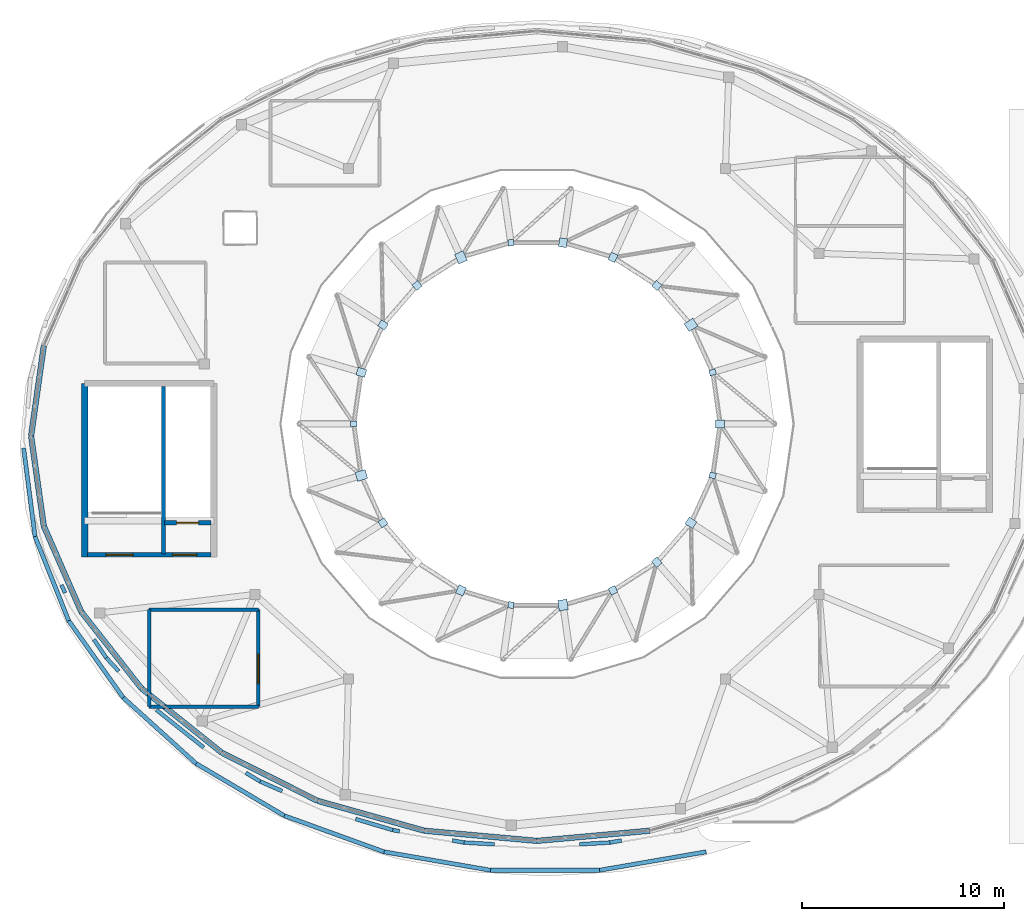
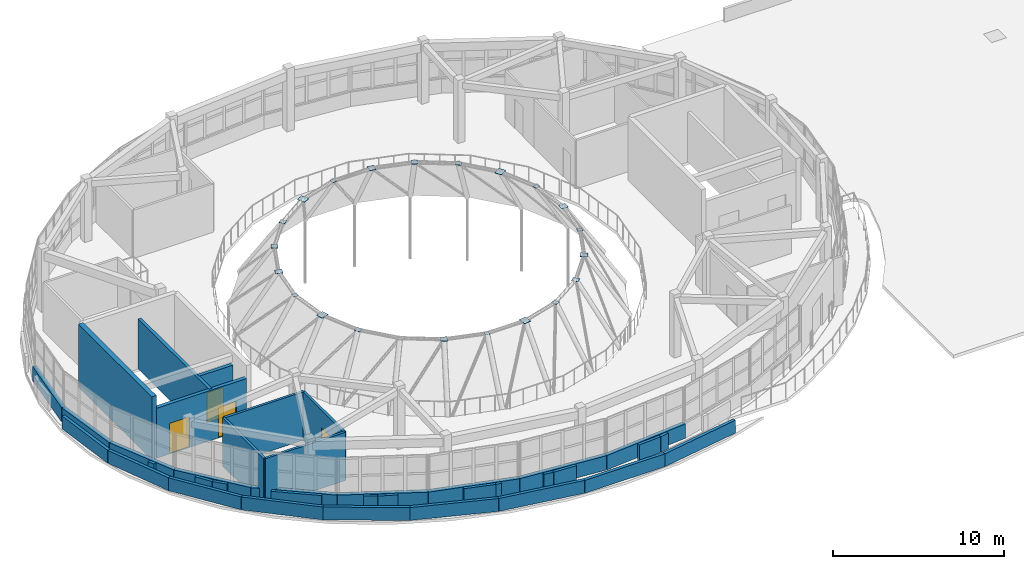
# One storey, part 33 of 38: 38 walls, 21 plates, 4 doors, 4 openings.
"""IFC4 building model written with IfcOpenShell, lengths in metres."""

from ifc_helpers import new_model, si_unit, direction, frame, frame_2d, origin, origin_2d, place, context, subcontext, project, spatial, rectangle, extrude, material, layer, layer_set, type_object, element, fill, save


model = new_model("IFC4")

# Units and contexts
model_context = context("Model", 3, precision=1e-05, world=origin(), true_north=direction((0.0, 1.0)))
body_context = subcontext(model_context, "Body", "Model", "MODEL_VIEW")
ifc_project = project(units=[si_unit("LENGTHUNIT", "METRE"), si_unit("AREAUNIT", "SQUARE_METRE"), si_unit("VOLUMEUNIT", "CUBIC_METRE"), si_unit("PLANEANGLEUNIT", "RADIAN"), si_unit("MASSUNIT", "GRAM", prefix="KILO")], contexts=[model_context])

# Site, building, storey
site_placement = place(None, origin())
site = spatial("IfcSite", under=ifc_project, at=site_placement, CompositionType="ELEMENT")
building_placement = place(site_placement, origin())
building = spatial("IfcBuilding", under=site, at=building_placement, Name="Pelvatis Terrace Science Centre", CompositionType="ELEMENT")
storey_placement = place(building_placement, frame((0.0, 0.0, 24.300048828125)))
storey = spatial("IfcBuildingStorey", under=building, at=storey_placement, Name="L05", CompositionType="ELEMENT", Elevation=24.300048828125)

# Plates
ifc_material_1 = material(Name="Structural steel S355", Category="steel")
ifc_layer_1 = layer(ifc_material_1, 0.01611328125)
ifc_layer_set_1 = layer_set([ifc_layer_1], Name="Structural steel S355")
plate_type_1 = type_object("IfcPlateType", Name="PLT-GUS-320x280x16", PredefinedType="USERDEFINED", material=ifc_layer_set_1)
for number, where, z_axis, x_axis, name in (
    (1, (117.896484375, 88.353515625, 3.044677734375), (0.0, 0.0, 1.0), (0.959510852267, 0.281671660596, 0.0), "Dome node gusset plate 3.02"),
    (2, (107.91015625, 94.771484375, 3.044677734375), (0.0, 0.0, 1.0), (-0.142283427941, 0.989825957496, 0.0), "Dome node gusset plate 3.07"),
    (3, (100.13623046875, 85.800048828125, 3.044677734375), (0.0, 0.0, 1.0), (-1.0, 0.0, 0.0), "Dome node gusset plate 3.12"),
    (4, (107.91015625, 76.82861328125, 3.044677734375), (0.0, 0.0, 1.0), (-0.142283427941, -0.989825957496, 0.0), "Dome node gusset plate 3.17"),
    (5, (117.896484375, 83.24658203125, 3.044677734375), (0.0, 0.0, 1.0), (0.959510852267, -0.281671660596, 0.0), "Dome node gusset plate 3.22"),
):
    element("IfcPlate", number, at=place(storey_placement, frame(where, z_axis=z_axis, x_axis=x_axis)), inside=storey, type_object=plate_type_1, Name=name, ObjectType="GUSSET", PredefinedType="USERDEFINED", context=body_context, shape_type="SweptSolid", body=[
        extrude(rectangle(XDim=0.320068359375, YDim=0.280029296875, at=origin_2d()), origin(), (0.0, 0.0, 1.0), 0.01611328125),
    ])
ifc_material_2 = material(Name="Structural steel S355", Category="steel")
ifc_layer_2 = layer(ifc_material_2, 0.02001953125)
ifc_layer_set_2 = layer_set([ifc_layer_2], Name="Structural steel S355")
plate_type_2 = type_object("IfcPlateType", Name="PLT-GUS-360x360x20", PredefinedType="USERDEFINED", material=ifc_layer_set_2)
for number, where, z_axis, x_axis, name in (
    (6, (115.135498046875, 92.64990234375, 3.042724609375), (0.0, 0.0, 1.0), (0.654872725061, 0.755739183826, 0.0), "Dome node gusset plate 3.04"),
    (7, (103.2646484375, 92.64990234375, 3.042724609375), (0.0, 0.0, 1.0), (-0.654872725061, 0.755739183826, 0.0), "Dome node gusset plate 3.09"),
    (8, (101.5751953125, 80.89990234375, 3.042724609375), (0.0, 0.0, 1.0), (-0.841227797435, -0.540680860418, 0.0), "Dome node gusset plate 3.14"),
    (9, (112.965087890625, 77.555419921875, 3.042724609375), (0.0, 0.0, 1.0), (0.415487175664, -0.909599036311, 0.0), "Dome node gusset plate 3.19"),
):
    element("IfcPlate", number, at=place(storey_placement, frame(where, z_axis=z_axis, x_axis=x_axis)), inside=storey, type_object=plate_type_2, Name=name, ObjectType="GUSSET", PredefinedType="USERDEFINED", context=body_context, shape_type="SweptSolid", body=[
        extrude(rectangle(XDim=0.360107421875, YDim=0.360107421875, at=origin_2d()), origin(), (0.0, 0.0, 1.0), 0.02001953125),
    ])
ifc_material_3 = material(Name="Structural steel S355", Category="steel")
ifc_layer_3 = layer(ifc_material_3, 0.02197265625)
ifc_layer_set_3 = layer_set([ifc_layer_3], Name="Structural steel S355")
plate_type_3 = type_object("IfcPlateType", Name="PLT-GUS-400x360x22", PredefinedType="USERDEFINED", material=ifc_layer_set_3)
for number, where, z_axis, x_axis, name in (
    (10, (112.965087890625, 94.044677734375, 3.041748046875), (0.0, 0.0, 1.0), (0.415487175664, 0.909599036311, 0.0), "Dome node gusset plate 3.05"),
    (11, (101.5751953125, 90.7001953125, 3.041748046875), (0.0, 0.0, 1.0), (-0.841227797435, 0.540680860418, 0.0), "Dome node gusset plate 3.10"),
    (12, (115.135498046875, 78.9501953125, 3.041748046875), (0.0, 0.0, 1.0), (0.654872725061, -0.755739183826, 0.0), "Dome node gusset plate 3.20"),
):
    element("IfcPlate", number, at=place(storey_placement, frame(where, z_axis=z_axis, x_axis=x_axis)), inside=storey, type_object=plate_type_3, Name=name, ObjectType="GUSSET", PredefinedType="USERDEFINED", context=body_context, shape_type="SweptSolid", body=[
        extrude(rectangle(XDim=0.39990234375, YDim=0.360107421875, at=origin_2d()), origin(), (0.0, 0.0, 1.0), 0.02197265625),
    ])
ifc_material_4 = material(Name="Structural steel S355", Category="steel")
ifc_layer_4 = layer(ifc_material_4, 0.02392578125)
ifc_layer_set_4 = layer_set([ifc_layer_4], Name="Structural steel S355")
plate_type_4 = type_object("IfcPlateType", Name="PLT-GUS-440x400x24", PredefinedType="USERDEFINED", material=ifc_layer_set_4)
for number, where, z_axis, x_axis, name in (
    (13, (118.263671875, 85.800048828125, 3.040771484375), (0.0, 0.0, 1.0), (1.0, 0.0, 0.0), "Dome node gusset plate 3.01"),
    (14, (110.489990234375, 94.771484375, 3.040771484375), (0.0, 0.0, 1.0), (0.142283427941, 0.989825957496, 0.0), "Dome node gusset plate 3.06"),
    (15, (100.50341796875, 88.353515625, 3.040771484375), (0.0, 0.0, 1.0), (-0.959510852267, 0.281671660596, 0.0), "Dome node gusset plate 3.11"),
    (16, (105.434814453125, 77.555419921875, 3.040771484375), (0.0, 0.0, 1.0), (-0.415487175664, -0.909599036311, 0.0), "Dome node gusset plate 3.16"),
    (17, (116.824951171875, 80.89990234375, 3.040771484375), (0.0, 0.0, 1.0), (0.841227797435, -0.540680860418, 0.0), "Dome node gusset plate 3.21"),
):
    element("IfcPlate", number, at=place(storey_placement, frame(where, z_axis=z_axis, x_axis=x_axis)), inside=storey, type_object=plate_type_4, Name=name, ObjectType="GUSSET", PredefinedType="USERDEFINED", context=body_context, shape_type="SweptSolid", body=[
        extrude(rectangle(XDim=0.43994140625, YDim=0.39990234375, at=origin_2d()), origin(), (0.0, 0.0, 1.0), 0.02392578125),
    ])
ifc_material_5 = material(Name="Structural steel S355", Category="steel")
ifc_layer_5 = layer(ifc_material_5, 0.028076171875)
ifc_layer_set_5 = layer_set([ifc_layer_5], Name="Structural steel S355")
plate_type_5 = type_object("IfcPlateType", Name="PLT-GUS-520x460x28", PredefinedType="USERDEFINED", material=ifc_layer_set_5)
for number, where, z_axis, x_axis, name in (
    (18, (116.824951171875, 90.7001953125, 3.03857421875), (0.0, 0.0, 1.0), (0.841227797435, 0.540680860418, 0.0), "Dome node gusset plate 3.03"),
    (19, (105.434814453125, 94.044677734375, 3.03857421875), (0.0, 0.0, 1.0), (-0.415487175664, 0.909599036311, 0.0), "Dome node gusset plate 3.08"),
    (20, (100.50341796875, 83.24658203125, 3.03857421875), (0.0, 0.0, 1.0), (-0.959510852267, -0.281671660596, 0.0), "Dome node gusset plate 3.13"),
    (21, (110.489990234375, 76.82861328125, 3.03857421875), (0.0, 0.0, 1.0), (0.142283427941, -0.989825957496, 0.0), "Dome node gusset plate 3.18"),
):
    element("IfcPlate", number, at=place(storey_placement, frame(where, z_axis=z_axis, x_axis=x_axis)), inside=storey, type_object=plate_type_5, Name=name, ObjectType="GUSSET", PredefinedType="USERDEFINED", context=body_context, shape_type="SweptSolid", body=[
        extrude(rectangle(XDim=0.52001953125, YDim=0.4599609375, at=origin_2d()), origin(), (0.0, 0.0, 1.0), 0.028076171875),
    ])

# Walls
ifc_material_6 = material(Name="White architectural precast concrete C40/50 spandrel", Category="concrete")
ifc_layer_6 = layer(ifc_material_6, 0.27490234375)
ifc_layer_set_6 = layer_set([ifc_layer_6], Name="White architectural precast concrete C40/50 spandrel")
wall_type_1 = type_object("IfcWallType", Name="WL-EXT-SPND-275", PredefinedType="SOLIDWALL", material=ifc_layer_set_6)
wall_1_placement = place(storey_placement, frame((84.778076171875, 89.66162109375, 0.0), z_axis=(0.0, 0.0, 1.0), x_axis=(-0.139418383806, -0.990233565507, 0.0)))
element("IfcWall", 22, at=wall_1_placement, inside=storey, type_object=wall_type_1, Name="V1 white spiral spandrel band 14 (L05)", PredefinedType="SOLIDWALL", context=body_context, shape_type="SweptSolid", body=[
    extrude(rectangle(XDim=4.505615234375, YDim=0.27490234375, at=frame_2d((2.2529296875, 0.0))), origin(), (0.0, 0.0, 1.0), 1.02001953125),
])
wall_2_placement = place(storey_placement, frame((84.14990234375, 85.199951171875, 0.0), z_axis=(0.0, 0.0, 1.0), x_axis=(0.139425864829, -0.990232512199, 0.0)))
element("IfcWall", 23, at=wall_2_placement, inside=storey, type_object=wall_type_1, Name="V1 white spiral spandrel band 15 (L05)", PredefinedType="SOLIDWALL", context=body_context, shape_type="SweptSolid", body=[
    extrude(rectangle(XDim=4.50537109375, YDim=0.27490234375, at=frame_2d((2.252685546875, 0.0))), origin(), (0.0, 0.0, 1.0), 1.02001953125),
])
wall_3_placement = place(storey_placement, frame((84.778076171875, 80.738525390625, 0.0), z_axis=(0.0, 0.0, 1.0), x_axis=(0.400528066948, -0.916284490531, 0.0)))
element("IfcWall", 24, at=wall_3_placement, inside=storey, type_object=wall_type_1, Name="V1 white spiral spandrel band 16 (L05)", PredefinedType="SOLIDWALL", context=body_context, shape_type="SweptSolid", body=[
    extrude(rectangle(XDim=4.625244140625, YDim=0.27490234375, at=frame_2d((2.3125, 0.0))), origin(), (0.0, 0.0, 1.0), 1.02001953125),
])
wall_4_placement = place(storey_placement, frame((86.630615234375, 76.50048828125, 0.0), z_axis=(0.0, 0.0, 1.0), x_axis=(0.617498011037, -0.786572441906, 0.0)))
element("IfcWall", 25, at=wall_4_placement, inside=storey, type_object=wall_type_1, Name="V1 white spiral spandrel band 17 (L05)", PredefinedType="SOLIDWALL", context=body_context, shape_type="SweptSolid", body=[
    extrude(rectangle(XDim=4.8330078125, YDim=0.27490234375, at=frame_2d((2.41650390625, 0.0))), origin(), (0.0, 0.0, 1.0), 1.02001953125),
])
wall_5_placement = place(storey_placement, frame((89.614990234375, 72.698974609375, 0.0), z_axis=(0.0, 0.0, 1.0), x_axis=(0.780742210705, -0.624853263113, 0.0)))
element("IfcWall", 26, at=wall_5_placement, inside=storey, type_object=wall_type_1, Name="V1 white spiral spandrel band 18 (L05)", PredefinedType="SOLIDWALL", context=body_context, shape_type="SweptSolid", body=[
    extrude(rectangle(XDim=5.08056640625, YDim=0.27490234375, at=frame_2d((2.540283203125, 0.0))), origin(), (0.0, 0.0, 1.0), 1.02001953125),
])
wall_6_placement = place(storey_placement, frame((93.58154296875, 69.5244140625, 0.0), z_axis=(0.0, 0.0, 1.0), x_axis=(0.893368542728, -0.449324656417, 0.0)))
element("IfcWall", 27, at=wall_6_placement, inside=storey, type_object=wall_type_1, Name="V1 white spiral spandrel band 19 (L05)", PredefinedType="SOLIDWALL", context=body_context, shape_type="SweptSolid", body=[
    extrude(rectangle(XDim=5.316650390625, YDim=0.27490234375, at=frame_2d((2.658203125, 0.0))), origin(), (0.0, 0.0, 1.0), 1.02001953125),
])
wall_7_placement = place(storey_placement, frame((98.331298828125, 67.135498046875, 0.0), z_axis=(0.0, 0.0, 1.0), x_axis=(0.962945110284, -0.269697450079, 0.0)))
element("IfcWall", 28, at=wall_7_placement, inside=storey, type_object=wall_type_1, Name="V1 white spiral spandrel band 20 (L05)", PredefinedType="SOLIDWALL", context=body_context, shape_type="SweptSolid", body=[
    extrude(rectangle(XDim=5.49853515625, YDim=0.27490234375, at=frame_2d((2.749267578125, 0.0))), origin(), (0.0, 0.0, 1.0), 1.02001953125),
])
wall_8_placement = place(storey_placement, frame((103.6259765625, 65.652587890625, 0.0), z_axis=(0.0, 0.0, 1.0), x_axis=(0.995958026213, -0.089819875431, 0.0)))
element("IfcWall", 29, at=wall_8_placement, inside=storey, type_object=wall_type_1, Name="V1 white spiral spandrel band 21 (L05)", PredefinedType="SOLIDWALL", context=body_context, shape_type="SweptSolid", body=[
    extrude(rectangle(XDim=5.5966796875, YDim=0.27490234375, at=frame_2d((2.79833984375, 0.0))), origin(), (0.0, 0.0, 1.0), 1.02001953125),
])
wall_9_placement = place(storey_placement, frame((109.199951171875, 65.14990234375, 0.0), z_axis=(0.0, 0.0, 1.0), x_axis=(0.995958378124, 0.08981597322, 0.0)))
element("IfcWall", 30, at=wall_9_placement, inside=storey, type_object=wall_type_1, Name="V1 white spiral spandrel band 22 (L05)", PredefinedType="SOLIDWALL", context=body_context, shape_type="SweptSolid", body=[
    extrude(rectangle(XDim=5.596923828125, YDim=0.27490234375, at=frame_2d((2.79833984375, 0.0))), origin(), (0.0, 0.0, 1.0), 1.02001953125),
])
ifc_material_7 = material(Name="Concrete C35/45 shaft dividing wall", Category="concrete")
ifc_layer_7 = layer(ifc_material_7, 0.2099609375)
ifc_layer_set_7 = layer_set([ifc_layer_7], Name="Concrete C35/45 shaft dividing wall")
wall_type_2 = type_object("IfcWallType", Name="WL-INT-CORE-210", PredefinedType="PARTITIONING", material=ifc_layer_set_7)
wall_10_placement = place(storey_placement, frame((90.699951171875, 79.35009765625, 0.0), z_axis=(0.0, 0.0, 1.0), x_axis=(0.0, 1.0, 0.0)))
element("IfcWall", 31, at=wall_10_placement, inside=storey, type_object=wall_type_2, Name="Core C1 stair-lift shaft fire wall (L05)", PredefinedType="PARTITIONING", context=body_context, shape_type="SweptSolid", body=[
    extrude(rectangle(XDim=8.2998046875, YDim=0.2099609375, at=frame_2d((4.14990234375, 0.0))), origin(), (0.0, 0.0, 1.0), 3.579833984375),
])

# Wall, opening, door
ifc_material_8 = material(Name="Concrete C35/45 stair enclosure wall", Category="concrete")
ifc_layer_8 = layer(ifc_material_8, 0.22509765625)
ifc_layer_set_8 = layer_set([ifc_layer_8], Name="Concrete C35/45 stair enclosure wall")
wall_type_3 = type_object("IfcWallType", Name="WL-INT-CORE-225", PredefinedType="PARTITIONING", material=ifc_layer_set_8)
wall_11_placement = place(storey_placement, frame((90.75, 80.89990234375, 0.0), z_axis=(0.0, 0.0, 1.0), x_axis=(1.0, 0.0, 0.0)))
wall_11 = element("IfcWall", 32, at=wall_11_placement, inside=storey, type_object=wall_type_3, Name="Core C1 lift shaft landing wall (L05)", PredefinedType="PARTITIONING", context=body_context, shape_type="SweptSolid", body=[
    extrude(rectangle(XDim=2.300048828125, YDim=0.22509765625, at=frame_2d((1.14990234375, 0.0))), origin(), (0.0, 0.0, 1.0), 3.579833984375),
])
opening_1_placement = place(wall_11_placement, frame((0.60009765625, 0.0, 0.0)))
opening_1 = element("IfcOpeningElement", 33, at=opening_1_placement, cuts=wall_11, Name="Opening LD-C1-7", PredefinedType="OPENING", context=body_context, shape_type="SweptSolid", body=[
    extrude(rectangle(XDim=1.10009765625, YDim=2.14990234375, at=frame_2d((0.550048828125, 1.074951171875))), frame((0.0, 0.12255859375, 0.0), z_axis=(0.0, -1.0, 0.0), x_axis=(1.0, 0.0, 0.0)), (0.0, 0.0, 1.0), 0.2451171875),
])
ifc_material_9 = material(Name="Stainless steel sliding fire-fighting lift landing door", Category="steel")
door_type_1 = type_object("IfcDoorType", Name="DR-LIFT-1100x2150", OperationType="NOTDEFINED", PredefinedType="DOOR", material=ifc_material_9)
door_1_placement = place(opening_1_placement, origin())
door_1 = element("IfcDoor", 34, at=door_1_placement, inside=storey, type_object=door_type_1, Name="Lift LF-01 sliding landing door (L05)", OperationType="SLIDING_TO_LEFT", OverallHeight=2.14990234375, OverallWidth=1.10009765625, PredefinedType="DOOR", context=body_context, shape_type="SweptSolid", body=[
    extrude(rectangle(XDim=1.10009765625, YDim=2.14990234375, at=frame_2d((0.550048828125, 1.074951171875))), frame((0.0, 0.02490234375, 0.0), z_axis=(0.0, -1.0, 0.0), x_axis=(1.0, 0.0, 0.0)), (0.0, 0.0, 1.0), 0.050048828125),
])
fill(opening_1, door_1)

# Wall, openings, doors
ifc_material_10 = material(Name="Concrete C35/45 shaft enclosure wall", Category="concrete")
ifc_layer_9 = layer(ifc_material_10, 0.239990234375)
ifc_layer_set_9 = layer_set([ifc_layer_9], Name="Concrete C35/45 shaft enclosure wall")
wall_type_4 = type_object("IfcWallType", Name="WL-INT-CORE-240", PredefinedType="PARTITIONING", material=ifc_layer_set_9)
wall_12_placement = place(storey_placement, frame((86.949951171875, 79.320068359375, 0.0), z_axis=(0.0, 0.0, 1.0), x_axis=(1.0, 0.0, 0.0)))
wall_12 = element("IfcWall", 35, at=wall_12_placement, inside=storey, type_object=wall_type_4, Name="Core C1 fire-rated lobby wall (L05)", PredefinedType="PARTITIONING", context=body_context, shape_type="SweptSolid", body=[
    extrude(rectangle(XDim=6.10009765625, YDim=0.239990234375, at=frame_2d((3.050048828125, 0.0))), origin(), (0.0, 0.0, 1.0), 3.579833984375),
])
opening_2_placement = place(wall_12_placement, frame((0.89990234375, 0.0, 0.0)))
opening_2 = element("IfcOpeningElement", 36, at=opening_2_placement, cuts=wall_12, Name="Opening D-113", PredefinedType="OPENING", context=body_context, shape_type="SweptSolid", body=[
    extrude(rectangle(XDim=1.35009765625, YDim=2.199951171875, at=frame_2d((0.675048828125, 1.10009765625))), frame((0.0, 0.1298828125, 0.0), z_axis=(0.0, -1.0, 0.0), x_axis=(1.0, 0.0, 0.0)), (0.0, 0.0, 1.0), 0.260009765625),
])
opening_3_placement = place(wall_12_placement, frame((4.199951171875, 0.0, 0.0)))
opening_3 = element("IfcOpeningElement", 37, at=opening_3_placement, cuts=wall_12, Name="Opening D-114", PredefinedType="OPENING", context=body_context, shape_type="SweptSolid", body=[
    extrude(rectangle(XDim=1.199951171875, YDim=2.199951171875, at=frame_2d((0.60009765625, 1.10009765625))), frame((0.0, 0.1298828125, 0.0), z_axis=(0.0, -1.0, 0.0), x_axis=(1.0, 0.0, 0.0)), (0.0, 0.0, 1.0), 0.260009765625),
])
ifc_material_11 = material(Name="Steel fire-rated exit stair door", Category="steel")
door_type_2 = type_object("IfcDoorType", Name="DR-STAIR-1200x2200", OperationType="NOTDEFINED", PredefinedType="DOOR", material=ifc_material_11)
door_2_placement = place(opening_3_placement, origin())
door_2 = element("IfcDoor", 38, at=door_2_placement, inside=storey, type_object=door_type_2, Name="Core C1 lift lobby fire door (L05)", OperationType="SINGLE_SWING_RIGHT", OverallHeight=2.199951171875, OverallWidth=1.199951171875, PredefinedType="DOOR", context=body_context, shape_type="SweptSolid", body=[
    extrude(rectangle(XDim=1.199951171875, YDim=2.199951171875, at=frame_2d((0.60009765625, 1.10009765625))), frame((0.0, 0.02490234375, 0.0), z_axis=(0.0, -1.0, 0.0), x_axis=(1.0, 0.0, 0.0)), (0.0, 0.0, 1.0), 0.050048828125),
])
fill(opening_3, door_2)
ifc_material_12 = material(Name="Steel fire-rated protected stair door", Category="steel")
door_type_3 = type_object("IfcDoorType", Name="DR-STAIR-1350x2200", OperationType="NOTDEFINED", PredefinedType="DOOR", material=ifc_material_12)
door_3_placement = place(opening_2_placement, origin())
door_3 = element("IfcDoor", 39, at=door_3_placement, inside=storey, type_object=door_type_3, Name="Core C1 protected stair fire door (L05)", OperationType="SINGLE_SWING_LEFT", OverallHeight=2.199951171875, OverallWidth=1.35009765625, PredefinedType="DOOR", context=body_context, shape_type="SweptSolid", body=[
    extrude(rectangle(XDim=1.35009765625, YDim=2.199951171875, at=frame_2d((0.675048828125, 1.10009765625))), frame((0.0, 0.02490234375, 0.0), z_axis=(0.0, -1.0, 0.0), x_axis=(1.0, 0.0, 0.0)), (0.0, 0.0, 1.0), 0.050048828125),
])
fill(opening_2, door_3)

# Wall
ifc_material_13 = material(Name="Dry studio acoustic partition", Category="masonry")
ifc_layer_10 = layer(ifc_material_13, 0.1650390625)
ifc_layer_set_10 = layer_set([ifc_layer_10], Name="Dry studio acoustic partition")
wall_type_5 = type_object("IfcWallType", Name="WL-INT-LAB-165", PredefinedType="PARTITIONING", material=ifc_layer_set_10)
wall_13_placement = place(storey_placement, frame((90.0, 71.800048828125, 0.0), z_axis=(0.0, 0.0, 1.0), x_axis=(1.0, 0.0, 0.0)))
element("IfcWall", 40, at=wall_13_placement, inside=storey, type_object=wall_type_5, Name="Heliostat and Solar Spectroscopy Instrument Studio partition wall S", PredefinedType="PARTITIONING", context=body_context, shape_type="SweptSolid", body=[
    extrude(rectangle(XDim=5.39990234375, YDim=0.1650390625, at=frame_2d((2.699951171875, 0.0))), origin(), (0.0, 0.0, 1.0), 3.449951171875),
])

# Wall, opening, door
wall_14_placement = place(storey_placement, frame((95.39990234375, 71.800048828125, 0.0), z_axis=(0.0, 0.0, 1.0), x_axis=(0.0, 1.0, 0.0)))
wall_14 = element("IfcWall", 41, at=wall_14_placement, inside=storey, type_object=wall_type_5, Name="Heliostat and Solar Spectroscopy Instrument Studio partition wall E", PredefinedType="PARTITIONING", context=body_context, shape_type="SweptSolid", body=[
    extrude(rectangle(XDim=4.800048828125, YDim=0.1650390625, at=frame_2d((2.39990234375, 0.0))), origin(), (0.0, 0.0, 1.0), 3.449951171875),
])
opening_4_placement = place(wall_14_placement, frame((1.14111328125, 0.0, 0.0)))
opening_4 = element("IfcOpeningElement", 42, at=opening_4_placement, cuts=wall_14, Name="Opening D-225", PredefinedType="OPENING", context=body_context, shape_type="SweptSolid", body=[
    extrude(rectangle(XDim=1.449951171875, YDim=2.199951171875, at=frame_2d((0.72509765625, 1.10009765625))), frame((0.0, 0.092529296875, 0.0), z_axis=(0.0, -1.0, 0.0), x_axis=(1.0, 0.0, 0.0)), (0.0, 0.0, 1.0), 0.18505859375),
])
ifc_material_14 = material(Name="Leaf-and-a-half dry studio door", Category="wood")
door_type_4 = type_object("IfcDoorType", Name="DR-LAB-1450x2200", OperationType="NOTDEFINED", PredefinedType="DOOR", material=ifc_material_14)
door_4_placement = place(opening_4_placement, origin())
door_4 = element("IfcDoor", 43, at=door_4_placement, inside=storey, type_object=door_type_4, Name="Heliostat and Solar Spectroscopy Instrument Studio entrance door", OperationType="SINGLE_SWING_RIGHT", OverallHeight=2.199951171875, OverallWidth=1.449951171875, PredefinedType="DOOR", context=body_context, shape_type="SweptSolid", body=[
    extrude(rectangle(XDim=1.449951171875, YDim=2.199951171875, at=frame_2d((0.72509765625, 1.10009765625))), frame((0.0, 0.02490234375, 0.0), z_axis=(0.0, -1.0, 0.0), x_axis=(1.0, 0.0, 0.0)), (0.0, 0.0, 1.0), 0.050048828125),
])
fill(opening_4, door_4)

# Walls
wall_15_placement = place(storey_placement, frame((95.39990234375, 76.60009765625, 0.0), z_axis=(0.0, 0.0, 1.0), x_axis=(-1.0, 0.0, 0.0)))
element("IfcWall", 44, at=wall_15_placement, inside=storey, type_object=wall_type_5, Name="Heliostat and Solar Spectroscopy Instrument Studio partition wall N", PredefinedType="PARTITIONING", context=body_context, shape_type="SweptSolid", body=[
    extrude(rectangle(XDim=5.39990234375, YDim=0.1650390625, at=frame_2d((2.699951171875, 0.0))), origin(), (0.0, 0.0, 1.0), 3.449951171875),
])
wall_16_placement = place(storey_placement, frame((90.0, 76.60009765625, 0.0), z_axis=(0.0, 0.0, 1.0), x_axis=(0.0, -1.0, 0.0)))
element("IfcWall", 45, at=wall_16_placement, inside=storey, type_object=wall_type_5, Name="Heliostat and Solar Spectroscopy Instrument Studio partition wall W", PredefinedType="PARTITIONING", context=body_context, shape_type="SweptSolid", body=[
    extrude(rectangle(XDim=4.800048828125, YDim=0.1650390625, at=frame_2d((2.39990234375, 0.0))), origin(), (0.0, 0.0, 1.0), 3.449951171875),
])
ifc_material_15 = material(Name="White architectural precast concrete C40/50 spandrel parapet", Category="concrete")
ifc_layer_11 = layer(ifc_material_15, 0.18994140625)
ifc_layer_set_11 = layer_set([ifc_layer_11], Name="White architectural precast concrete C40/50 spandrel parapet")
wall_type_6 = type_object("IfcWallType", Name="WL-PAR-190", PredefinedType="PARAPET", material=ifc_layer_set_11)
wall_17_placement = place(storey_placement, frame((113.388916015625, 65.168701171875, 0.0), z_axis=(0.0, 0.0, 1.0), x_axis=(-0.985135708937, -0.171777865214, 0.0)))
element("IfcWall", 46, at=wall_17_placement, inside=storey, type_object=wall_type_6, Name="Perimeter edge closure parapet PW-EDG-L05-462", PredefinedType="PARAPET", context=body_context, shape_type="SweptSolid", body=[
    extrude(rectangle(XDim=0.58984375, YDim=0.18994140625, at=frame_2d((0.294921875, 0.0))), origin(), (0.0, 0.0, 1.0), 1.119873046875),
])
for number, where, z_axis, x_axis, name in (
    (47, (112.807861328125, 65.0673828125, 0.0), (0.0, 0.0, 1.0), (-0.998353034694, -0.05736913906, 0.0), "Perimeter edge closure parapet PW-EDG-L05-463"),
    (48, (107.091796875, 64.981201171875, 0.0), (0.0, 0.0, 1.0), (-0.998353034694, 0.05736913906, 0.0), "Perimeter edge closure parapet PW-EDG-L05-464"),
):
    element("IfcWall", number, at=place(storey_placement, frame(where, z_axis=z_axis, x_axis=x_axis)), inside=storey, type_object=wall_type_6, Name=name, PredefinedType="PARAPET", context=body_context, shape_type="SweptSolid", body=[
        extrude(rectangle(XDim=1.502197265625, YDim=0.18994140625, at=frame_2d((0.7509765625, 0.0))), origin(), (0.0, 0.0, 1.0), 1.119873046875),
    ])
wall_18_placement = place(storey_placement, frame((105.592041015625, 65.0673828125, 0.0), z_axis=(0.0, 0.0, 1.0), x_axis=(-0.985135708937, 0.171777865214, 0.0)))
element("IfcWall", 49, at=wall_18_placement, inside=storey, type_object=wall_type_6, Name="Perimeter edge closure parapet PW-EDG-L05-465", PredefinedType="PARAPET", context=body_context, shape_type="SweptSolid", body=[
    extrude(rectangle(XDim=0.58984375, YDim=0.18994140625, at=frame_2d((0.294921875, 0.0))), origin(), (0.0, 0.0, 1.0), 1.119873046875),
])
wall_19_placement = place(storey_placement, frame((102.39794921875, 65.62548828125, 0.0), z_axis=(0.0, 0.0, 1.0), x_axis=(-0.985123386937, 0.171848516171, 0.0)))
element("IfcWall", 50, at=wall_19_placement, inside=storey, type_object=wall_type_6, Name="Perimeter edge closure parapet PW-EDG-L05-466", PredefinedType="PARAPET", context=body_context, shape_type="SweptSolid", body=[
    extrude(rectangle(XDim=0.34521484375, YDim=0.18994140625, at=frame_2d((0.172607421875, 0.0))), origin(), (0.0, 0.0, 1.0), 1.119873046875),
])
wall_20_placement = place(storey_placement, frame((102.057861328125, 65.684814453125, 0.0), z_axis=(0.0, 0.0, 1.0), x_axis=(-0.957948828527, 0.286939090964, 0.0)))
element("IfcWall", 51, at=wall_20_placement, inside=storey, type_object=wall_type_6, Name="Perimeter edge closure parapet PW-EDG-L05-467", PredefinedType="PARAPET", context=body_context, shape_type="SweptSolid", body=[
    extrude(rectangle(XDim=1.917724609375, YDim=0.18994140625, at=frame_2d((0.958984375, 0.0))), origin(), (0.0, 0.0, 1.0), 1.119873046875),
])
wall_21_placement = place(storey_placement, frame((96.580322265625, 67.615966796875, 0.0), z_axis=(0.0, 0.0, 1.0), x_axis=(-0.915797517565, 0.401640270417, 0.0)))
element("IfcWall", 52, at=wall_21_placement, inside=storey, type_object=wall_type_6, Name="Perimeter edge closure parapet PW-EDG-L05-468", PredefinedType="PARAPET", context=body_context, shape_type="SweptSolid", body=[
    extrude(rectangle(XDim=1.184814453125, YDim=0.18994140625, at=frame_2d((0.59228515625, 0.0))), origin(), (0.0, 0.0, 1.0), 1.119873046875),
])
wall_22_placement = place(storey_placement, frame((95.495361328125, 68.091796875, 0.0), z_axis=(0.0, 0.0, 1.0), x_axis=(-0.857050982718, 0.515231611047, 0.0)))
element("IfcWall", 53, at=wall_22_placement, inside=storey, type_object=wall_type_6, Name="Perimeter edge closure parapet PW-EDG-L05-469", PredefinedType="PARAPET", context=body_context, shape_type="SweptSolid", body=[
    extrude(rectangle(XDim=0.829345703125, YDim=0.18994140625, at=frame_2d((0.41455078125, 0.0))), origin(), (0.0, 0.0, 1.0), 1.119873046875),
])
wall_23_placement = place(storey_placement, frame((92.69775390625, 69.773681640625, 0.0), z_axis=(0.0, 0.0, 1.0), x_axis=(-0.782852775526, 0.622206984734, 0.0)))
element("IfcWall", 54, at=wall_23_placement, inside=storey, type_object=wall_type_6, Name="Perimeter edge closure parapet PW-EDG-L05-470", PredefinedType="PARAPET", context=body_context, shape_type="SweptSolid", body=[
    extrude(rectangle(XDim=2.995361328125, YDim=0.18994140625, at=frame_2d((1.49755859375, 0.0))), origin(), (0.0, 0.0, 1.0), 1.119873046875),
])
wall_24_placement = place(storey_placement, frame((88.490478515625, 73.552734375, 0.0), z_axis=(0.0, 0.0, 1.0), x_axis=(-0.681891217839, 0.731453598688, 0.0)))
element("IfcWall", 55, at=wall_24_placement, inside=storey, type_object=wall_type_6, Name="Perimeter edge closure parapet PW-EDG-L05-471", PredefinedType="PARAPET", context=body_context, shape_type="SweptSolid", body=[
    extrude(rectangle(XDim=0.896484375, YDim=0.18994140625, at=frame_2d((0.4482421875, 0.0))), origin(), (0.0, 0.0, 1.0), 1.119873046875),
])
wall_25_placement = place(storey_placement, frame((87.879150390625, 74.20849609375, 0.0), z_axis=(0.0, 0.0, 1.0), x_axis=(-0.562147396897, 0.827037063355, 0.0)))
element("IfcWall", 56, at=wall_25_placement, inside=storey, type_object=wall_type_6, Name="Perimeter edge closure parapet PW-EDG-L05-472", PredefinedType="PARAPET", context=body_context, shape_type="SweptSolid", body=[
    extrude(rectangle(XDim=1.10888671875, YDim=0.18994140625, at=frame_2d((0.554443359375, 0.0))), origin(), (0.0, 0.0, 1.0), 1.119873046875),
])
wall_26_placement = place(storey_placement, frame((85.833251953125, 77.4326171875, 0.0), z_axis=(0.0, 0.0, 1.0), x_axis=(-0.421632303537, 0.906766894309, 0.0)))
element("IfcWall", 57, at=wall_26_placement, inside=storey, type_object=wall_type_6, Name="Perimeter edge closure parapet PW-EDG-L05-473", PredefinedType="PARAPET", context=body_context, shape_type="SweptSolid", body=[
    extrude(rectangle(XDim=0.4267578125, YDim=0.18994140625, at=frame_2d((0.21337890625, 0.0))), origin(), (0.0, 0.0, 1.0), 1.119873046875),
])
ifc_material_16 = material(Name="White architectural precast concrete C40/50 spandrel parapet", Category="concrete")
ifc_layer_12 = layer(ifc_material_16, 0.205078125)
ifc_layer_set_12 = layer_set([ifc_layer_12], Name="White architectural precast concrete C40/50 spandrel parapet")
wall_type_7 = type_object("IfcWallType", Name="WL-PAR-205", PredefinedType="PARAPET", material=ifc_layer_set_12)
wall_27_placement = place(storey_placement, frame((83.780029296875, 84.60009765625, 0.0), z_axis=(0.0, 0.0, 1.0), x_axis=(0.128036380615, -0.991769471823, 0.0)))
element("IfcWall", 58, at=wall_27_placement, inside=storey, type_object=wall_type_7, Name="White spiral ring parapet PW-CRV-L05-037", PredefinedType="PARAPET", context=body_context, shape_type="SweptSolid", body=[
    extrude(rectangle(XDim=4.40673828125, YDim=0.205078125, at=frame_2d((2.203369140625, 0.0))), origin(), (0.0, 0.0, 1.0), 0.919921875),
])
wall_28_placement = place(storey_placement, frame((84.34423828125, 80.229736328125, 0.0), z_axis=(0.0, 0.0, 1.0), x_axis=(0.370660943619, -0.928768251436, 0.0)))
element("IfcWall", 59, at=wall_28_placement, inside=storey, type_object=wall_type_7, Name="White spiral ring parapet PW-CRV-L05-038", PredefinedType="PARAPET", context=body_context, shape_type="SweptSolid", body=[
    extrude(rectangle(XDim=4.5, YDim=0.205078125, at=frame_2d((2.25, 0.0))), origin(), (0.0, 0.0, 1.0), 0.919921875),
])
wall_29_placement = place(storey_placement, frame((86.01220703125, 76.05029296875, 0.0), z_axis=(0.0, 0.0, 1.0), x_axis=(0.578512346326, -0.815673626611, 0.0)))
element("IfcWall", 60, at=wall_29_placement, inside=storey, type_object=wall_type_7, Name="White spiral ring parapet PW-CRV-L05-039", PredefinedType="PARAPET", context=body_context, shape_type="SweptSolid", body=[
    extrude(rectangle(XDim=4.665283203125, YDim=0.205078125, at=frame_2d((2.33251953125, 0.0))), origin(), (0.0, 0.0, 1.0), 0.919921875),
])
wall_30_placement = place(storey_placement, frame((88.711181640625, 72.244873046875, 0.0), z_axis=(0.0, 0.0, 1.0), x_axis=(0.741736484104, -0.670691425433, 0.0)))
element("IfcWall", 61, at=wall_30_placement, inside=storey, type_object=wall_type_7, Name="White spiral ring parapet PW-CRV-L05-040", PredefinedType="PARAPET", context=body_context, shape_type="SweptSolid", body=[
    extrude(rectangle(XDim=4.869384765625, YDim=0.205078125, at=frame_2d((2.4345703125, 0.0))), origin(), (0.0, 0.0, 1.0), 0.919921875),
])
wall_31_placement = place(storey_placement, frame((92.322998046875, 68.97900390625, 0.0), z_axis=(0.0, 0.0, 1.0), x_axis=(0.860707074996, -0.509100511738, 0.0)))
element("IfcWall", 62, at=wall_31_placement, inside=storey, type_object=wall_type_7, Name="White spiral ring parapet PW-CRV-L05-041", PredefinedType="PARAPET", context=body_context, shape_type="SweptSolid", body=[
    extrude(rectangle(XDim=5.07373046875, YDim=0.205078125, at=frame_2d((2.536865234375, 0.0))), origin(), (0.0, 0.0, 1.0), 0.919921875),
])
wall_32_placement = place(storey_placement, frame((96.68994140625, 66.39599609375, 0.0), z_axis=(0.0, 0.0, 1.0), x_axis=(0.940162534059, -0.340726297124, 0.0)))
element("IfcWall", 63, at=wall_32_placement, inside=storey, type_object=wall_type_7, Name="White spiral ring parapet PW-CRV-L05-042", PredefinedType="PARAPET", context=body_context, shape_type="SweptSolid", body=[
    extrude(rectangle(XDim=5.2451171875, YDim=0.205078125, at=frame_2d((2.62255859375, 0.0))), origin(), (0.0, 0.0, 1.0), 0.919921875),
])
wall_33_placement = place(storey_placement, frame((101.62109375, 64.60888671875, 0.0), z_axis=(0.0, 0.0, 1.0), x_axis=(0.985351536485, -0.170535478849, 0.0)))
element("IfcWall", 64, at=wall_33_placement, inside=storey, type_object=wall_type_7, Name="White spiral ring parapet PW-CRV-L05-043", PredefinedType="PARAPET", context=body_context, shape_type="SweptSolid", body=[
    extrude(rectangle(XDim=5.358642578125, YDim=0.205078125, at=frame_2d((2.67919921875, 0.0))), origin(), (0.0, 0.0, 1.0), 0.919921875),
])
wall_34_placement = place(storey_placement, frame((106.901123046875, 63.695068359375, 0.0), z_axis=(0.0, 0.0, 1.0), x_axis=(1.0, 0.0, 0.0)))
element("IfcWall", 65, at=wall_34_placement, inside=storey, type_object=wall_type_7, Name="White spiral ring parapet PW-CRV-L05-044", PredefinedType="PARAPET", context=body_context, shape_type="SweptSolid", body=[
    extrude(rectangle(XDim=5.397705078125, YDim=0.205078125, at=frame_2d((2.69873046875, 0.0))), origin(), (0.0, 0.0, 1.0), 0.919921875),
])
wall_35_placement = place(storey_placement, frame((112.298828125, 63.695068359375, 0.0), z_axis=(0.0, 0.0, 1.0), x_axis=(0.985351536485, 0.170535478849, 0.0)))
element("IfcWall", 66, at=wall_35_placement, inside=storey, type_object=wall_type_7, Name="White spiral ring parapet PW-CRV-L05-045", PredefinedType="PARAPET", context=body_context, shape_type="SweptSolid", body=[
    extrude(rectangle(XDim=5.358642578125, YDim=0.205078125, at=frame_2d((2.67919921875, 0.0))), origin(), (0.0, 0.0, 1.0), 0.919921875),
])
ifc_material_17 = material(Name="Concrete C40/50", Category="concrete")
ifc_layer_13 = layer(ifc_material_17, 0.320068359375)
ifc_layer_set_13 = layer_set([ifc_layer_13], Name="Concrete C40/50")
wall_type_8 = type_object("IfcWallType", Name="WL-SHR-320", PredefinedType="SHEAR", material=ifc_layer_set_13)
wall_36_placement = place(storey_placement, frame((86.800048828125, 79.199951171875, 0.0), z_axis=(0.0, 0.0, 1.0), x_axis=(0.0, 1.0, 0.0)))
element("IfcWall", 67, at=wall_36_placement, inside=storey, type_object=wall_type_8, Name="Core C1 shear wall W (L05)", PredefinedType="SHEAR", context=body_context, shape_type="SweptSolid", body=[
    extrude(rectangle(XDim=8.60009765625, YDim=0.320068359375, at=frame_2d((4.300048828125, 0.0))), origin(), (0.0, 0.0, 1.0), 4.5),
])

save(model, "model.ifc")
